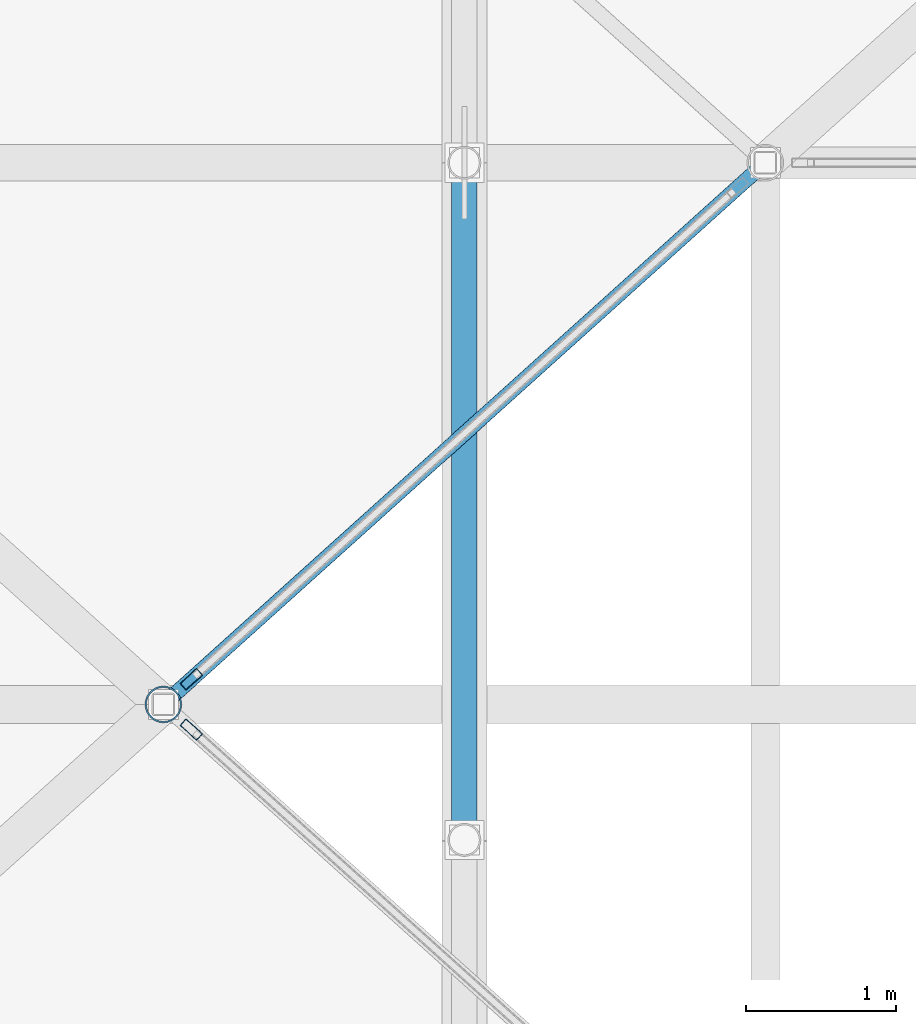
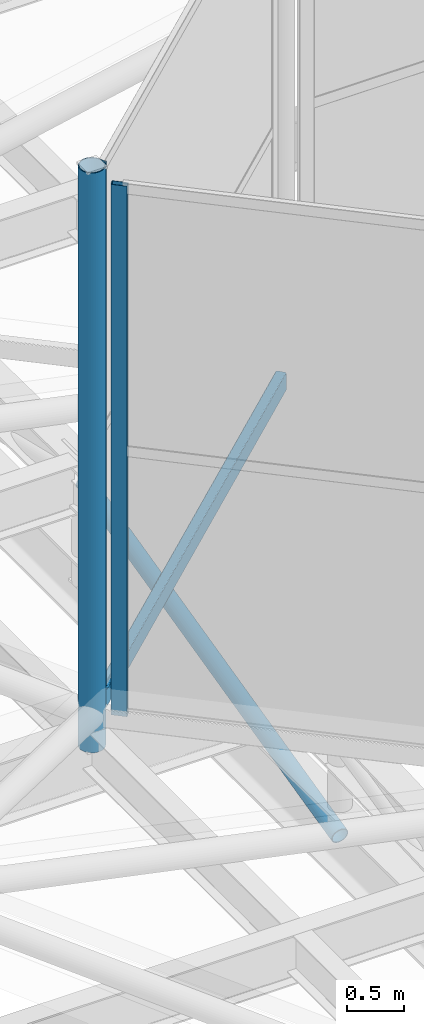
# One storey, part 82 of 239: 4 members, 1 beam, 2 elements without a shape of their own.
"""IFC4 building model written with IfcOpenShell, lengths in metres."""

from ifc_helpers import new_model, si_unit, direction, frame, origin, origin_2d, place, context, subcontext, project, spatial, hollow_rectangle, hollow_circle, extrude, material, layer, layer_set, material_profile, profile_set, type_object, element, aggregate, save


model = new_model("IFC4")

# Units and contexts
model_context = context("Model", 3, precision=1e-05, world=origin(), true_north=direction((0.0, 1.0)))
body_context = subcontext(model_context, "Body", "Model", "MODEL_VIEW")
ifc_project = project(units=[si_unit("LENGTHUNIT", "METRE"), si_unit("AREAUNIT", "SQUARE_METRE"), si_unit("VOLUMEUNIT", "CUBIC_METRE"), si_unit("PLANEANGLEUNIT", "RADIAN"), si_unit("MASSUNIT", "GRAM", prefix="KILO")], contexts=[model_context])

# Site, building, storey
site_placement = place(None, origin())
site = spatial("IfcSite", under=ifc_project, at=site_placement, CompositionType="ELEMENT")
building_placement = place(site_placement, origin())
building = spatial("IfcBuilding", under=site, at=building_placement, Name="Dunvalen Ferry Terminal", CompositionType="ELEMENT")
storey_placement = place(building_placement, frame((0.0, 0.0, 9.840087890625)))
storey = spatial("IfcBuildingStorey", under=building, at=storey_placement, Name="L02", CompositionType="ELEMENT", Elevation=9.840087890625)

# Curtain wall, member
ifc_material_1 = material(Name="Anodised marine aluminium and solar-control glazing", Category="aluminium")
ifc_layer_1 = layer(ifc_material_1, 0.179931640625, Name="Anodised marine aluminium and solar-control glazing")
ifc_layer_set_1 = layer_set([ifc_layer_1], Name="Anodised marine aluminium and solar-control glazing")
curtain_wall_type_1 = type_object("IfcCurtainWallType", Name="ENV-CW-SYS-05", PredefinedType="NOTDEFINED", material=ifc_layer_set_1)
curtain_wall_1_placement = place(storey_placement, origin())
curtain_wall_1 = element("IfcCurtainWall", 1, at=curtain_wall_1_placement, inside=storey, type_object=curtain_wall_type_1, Name="L02 Curtain Wall CW-HEX-25-SK-1", PredefinedType="NOTDEFINED")
ifc_material_2 = material(Name="Anodised marine aluminium EN AW-6063 T6", Category="aluminium")
ifc_material_profile_1 = material_profile(ifc_material_2, hollow_rectangle(XDim=0.06005859375, YDim=0.14990234375, WallThickness=0.00341796875, InnerFilletRadius=0.00341796875, OuterFilletRadius=0.007080078125, at=origin_2d()), Name="Anodised marine aluminium EN AW-6063 T6")
ifc_profile_set_1 = profile_set([ifc_material_profile_1], Name="Anodised marine aluminium EN AW-6063 T6")
member_type_1 = type_object("IfcMemberType", Name="ENV-CW-MUL-3", PredefinedType="MULLION", material=ifc_profile_set_1)
member_1_placement = place(storey_placement, frame((46.185791015625, 64.6328125, 1.139892578125), z_axis=(0.0, 0.0, 1.0), x_axis=(0.668953550894, 0.74330420875, 0.0)))
member_1 = element("IfcMember", 2, at=member_1_placement, type_object=member_type_1, Name="CW-05 mullion 1", PredefinedType="MULLION", context=body_context, shape_type="SweptSolid", body=[
    extrude(hollow_rectangle(XDim=0.06005859375, YDim=0.14990234375, WallThickness=0.00341796875, InnerFilletRadius=0.00341796875, OuterFilletRadius=0.007080078125, at=origin_2d()), origin(), (0.0, 0.0, 1.0), 5.699951171875),
])
aggregate(curtain_wall_1, [member_1])

ifc_layer_2 = layer(ifc_material_1, 0.179931640625, Name="Anodised marine aluminium and solar-control glazing")
ifc_layer_set_2 = layer_set([ifc_layer_2], Name="Anodised marine aluminium and solar-control glazing")
curtain_wall_type_2 = type_object("IfcCurtainWallType", Name="ENV-CW-SYS-06", PredefinedType="NOTDEFINED", material=ifc_layer_set_2)
curtain_wall_2_placement = place(storey_placement, origin())
curtain_wall_2 = element("IfcCurtainWall", 3, at=curtain_wall_2_placement, inside=storey, type_object=curtain_wall_type_2, Name="L02 Curtain Wall CW-HEX-25-SK-6", PredefinedType="NOTDEFINED")
member_2_placement = place(storey_placement, frame((46.185791015625, 64.96728515625, 1.139892578125), z_axis=(0.0, 0.0, 1.0), x_axis=(0.668953550894, -0.74330420875, 0.0)))
member_2 = element("IfcMember", 4, at=member_2_placement, type_object=member_type_1, Name="CW-06 mullion 2", PredefinedType="MULLION", context=body_context, shape_type="SweptSolid", body=[
    extrude(hollow_rectangle(XDim=0.06005859375, YDim=0.14990234375, WallThickness=0.00341796875, InnerFilletRadius=0.00341796875, OuterFilletRadius=0.007080078125, at=origin_2d()), origin(), (0.0, 0.0, 1.0), 5.699951171875),
])
aggregate(curtain_wall_2, [member_2])

# Beam
ifc_material_3 = material(Name="Steel S355", Category="steel")
ifc_material_profile_2 = material_profile(ifc_material_3, hollow_rectangle(XDim=0.10009765625, YDim=0.199951171875, WallThickness=0.008056640625, InnerFilletRadius=0.008056640625, OuterFilletRadius=0.01611328125, at=origin_2d()), Name="Steel S355")
ifc_profile_set_2 = profile_set([ifc_material_profile_2], Name="Steel S355")
beam_type = type_object("IfcBeamType", Name="STR-BM-RHS200", PredefinedType="BEAM", material=ifc_profile_set_2)
beam_placement = place(storey_placement, frame((46.0, 64.800048828125, 1.099853515625), z_axis=(0.74330768127, 0.668949692402, 0.0), x_axis=(-0.668949692402, 0.74330768127, 0.0)))
element("IfcBeam", 5, at=beam_placement, inside=storey, type_object=beam_type, Name="HEX-20 Hexagonal Rim Beam 3", PredefinedType="BEAM", context=body_context, shape_type="SweptSolid", body=[
    extrude(hollow_rectangle(XDim=0.10009765625, YDim=0.199951171875, WallThickness=0.008056640625, InnerFilletRadius=0.008056640625, OuterFilletRadius=0.01611328125, at=origin_2d()), origin(), (0.0, 0.0, 1.0), 5.38134765625),
])

# Members
ifc_material_profile_3 = material_profile(ifc_material_3, hollow_circle(Radius=0.084228515625, WallThickness=0.008056640625, at=origin_2d()), Name="Steel S355")
ifc_profile_set_3 = profile_set([ifc_material_profile_3], Name="Steel S355")
member_type_2 = type_object("IfcMemberType", Name="STR-MB-CHS168", PredefinedType="BRACE", material=ifc_profile_set_3)
member_3_placement = place(storey_placement, frame((48.0, 63.89990234375, -0.360107421875), z_axis=(0.0, 0.972383470914, 0.233388914677), x_axis=(-1.0, 0.0, 0.0)))
element("IfcMember", 6, at=member_3_placement, inside=storey, type_object=member_type_2, Name="Departure Hall Arch Web Diagonal 04.4", PredefinedType="BRACE", context=body_context, shape_type="SweptSolid", body=[
    extrude(hollow_circle(Radius=0.084228515625, WallThickness=0.008056640625, at=origin_2d()), origin(), (0.0, 0.0, 1.0), 4.627685546875),
])
ifc_material_profile_4 = material_profile(ifc_material_3, hollow_circle(Radius=0.122314453125, WallThickness=0.010009765625, at=origin_2d()), Name="Steel S355")
ifc_profile_set_4 = profile_set([ifc_material_profile_4], Name="Steel S355")
member_type_3 = type_object("IfcMemberType", Name="STR-MB-CHS244", PredefinedType="STRUT", material=ifc_profile_set_4)
member_4_placement = place(storey_placement, frame((46.0, 64.800048828125, 0.77001953125), z_axis=(0.0, 0.0, 1.0), x_axis=(1.0, 0.0, 0.0)))
element("IfcMember", 7, at=member_4_placement, inside=storey, type_object=member_type_3, Name="HEX-25 Skylight Lantern Corner Strut 1", PredefinedType="STRUT", context=body_context, shape_type="SweptSolid", body=[
    extrude(hollow_circle(Radius=0.122314453125, WallThickness=0.010009765625, at=origin_2d()), origin(), (0.0, 0.0, 1.0), 6.22998046875),
])

save(model, "model.ifc")
